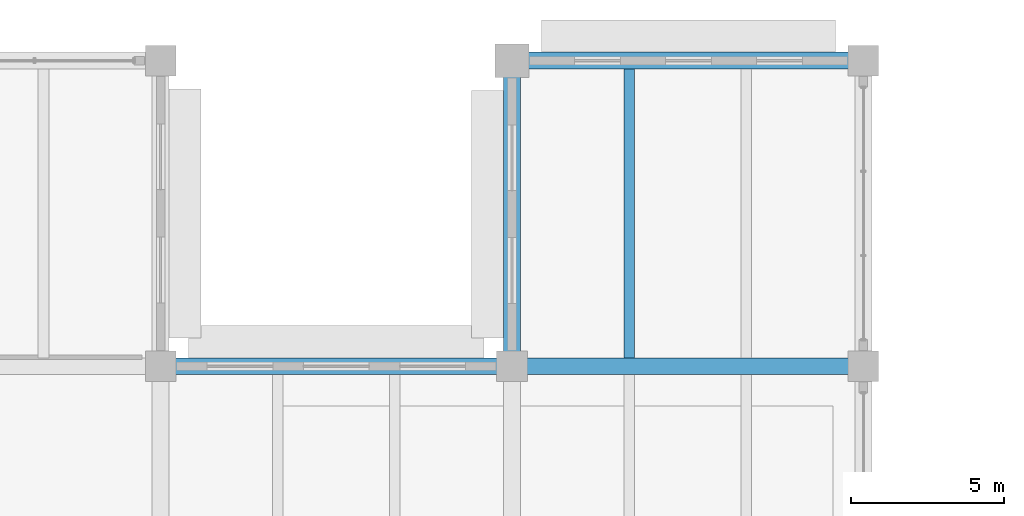
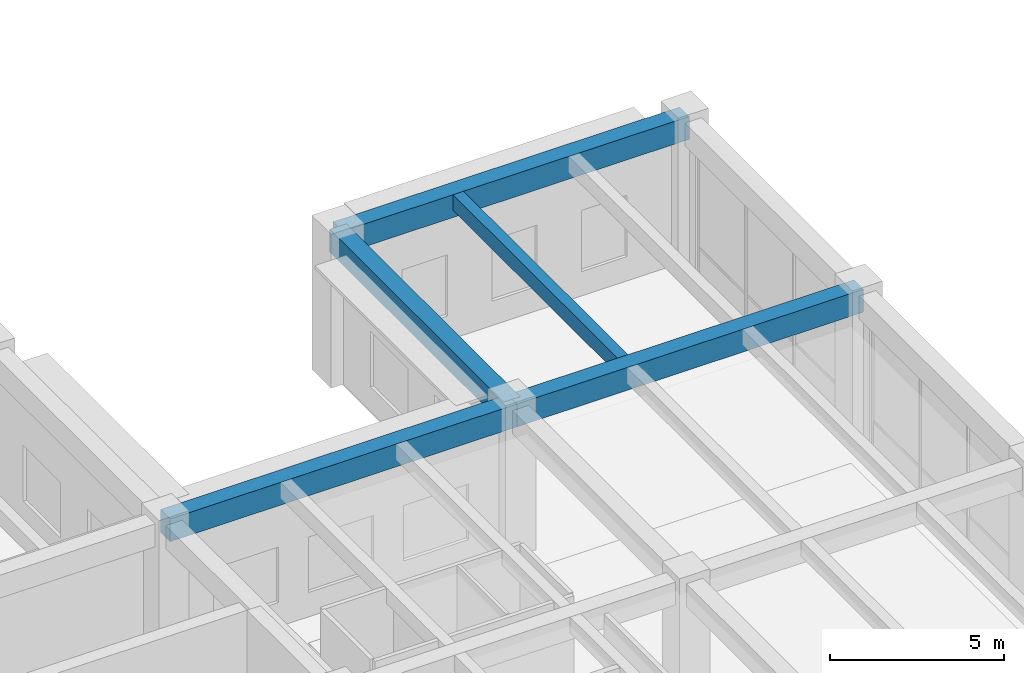
# One storey, part 60 of 148: 5 beams.
"""IFC4 building model written with IfcOpenShell, lengths in metres."""

from ifc_helpers import new_model, si_unit, direction, frame, origin, origin_2d, place, context, subcontext, project, spatial, rectangle, extrude, material, material_profile, profile_set, type_object, element, save


model = new_model("IFC4")

# Units and contexts
model_context = context("Model", 3, precision=1e-05, world=origin(), true_north=direction((0.0, 1.0)))
body_context = subcontext(model_context, "Body", "Model", "MODEL_VIEW")
ifc_project = project(units=[si_unit("LENGTHUNIT", "METRE"), si_unit("AREAUNIT", "SQUARE_METRE"), si_unit("VOLUMEUNIT", "CUBIC_METRE"), si_unit("PLANEANGLEUNIT", "RADIAN"), si_unit("MASSUNIT", "GRAM", prefix="KILO")], contexts=[model_context])

# Site, building, storey
site_placement = place(None, origin())
site = spatial("IfcSite", under=ifc_project, at=site_placement, CompositionType="ELEMENT")
building_placement = place(site_placement, origin())
building = spatial("IfcBuilding", under=site, at=building_placement, Name="Ologun Quay Terminus", CompositionType="ELEMENT")
storey_placement = place(building_placement, frame((0.0, 0.0, 8.39990234375)))
storey = spatial("IfcBuildingStorey", under=building, at=storey_placement, Name="L02", CompositionType="ELEMENT", Elevation=8.39990234375)

# Beams
ifc_material_1 = material(Name="Concrete C40/50", Category="concrete")
ifc_material_profile_1 = material_profile(ifc_material_1, rectangle(XDim=0.550048828125, YDim=0.800048828125, at=origin_2d()), Name="RC 550x800")
ifc_profile_set_1 = profile_set([ifc_material_profile_1], Name="Concrete C40/50")
beam_type_1 = type_object("IfcBeamType", Name="Courtyard Wing Primary Girder 550x800", PredefinedType="BEAM", material=ifc_profile_set_1)
for number, where, z_axis, x_axis, name in (
    (1, (46.0, 104.800048828125, 4.75), (1.0, 0.0, 0.0), (0.0, 1.0, 0.0), "B4 Beam 5/J L02"),
    (2, (57.5, 104.800048828125, 4.75), (1.0, 0.0, 0.0), (0.0, 1.0, 0.0), "B4 Beam 6/J L02"),
    (3, (57.5, 114.800048828125, 4.75), (1.0, 0.0, 0.0), (0.0, 1.0, 0.0), "B4 Beam 6/K L02"),
):
    element("IfcBeam", number, at=place(storey_placement, frame(where, z_axis=z_axis, x_axis=x_axis)), inside=storey, type_object=beam_type_1, Name=name, PredefinedType="BEAM", context=body_context, shape_type="SweptSolid", body=[
        extrude(rectangle(XDim=0.550048828125, YDim=0.800048828125, at=origin_2d()), origin(), (0.0, 0.0, 1.0), 11.5),
    ])
beam_1_placement = place(storey_placement, frame((57.5, 104.800048828125, 4.75), z_axis=(0.0, 1.0, 0.0), x_axis=(-1.0, 0.0, 0.0)))
element("IfcBeam", 4, at=beam_1_placement, inside=storey, type_object=beam_type_1, Name="B4 Beam 6/J L02", PredefinedType="BEAM", context=body_context, shape_type="SweptSolid", body=[
    extrude(rectangle(XDim=0.550048828125, YDim=0.800048828125, at=origin_2d()), origin(), (0.0, 0.0, 1.0), 10.0),
])
ifc_material_2 = material(Name="Concrete C40/50", Category="concrete")
ifc_material_profile_2 = material_profile(ifc_material_2, rectangle(XDim=0.35009765625, YDim=0.550048828125, at=origin_2d()), Name="RC 350x550")
ifc_profile_set_2 = profile_set([ifc_material_profile_2], Name="Concrete C40/50")
beam_type_2 = type_object("IfcBeamType", Name="Courtyard Wing Secondary Joist 350x550", PredefinedType="JOIST", material=ifc_profile_set_2)
beam_2_placement = place(storey_placement, frame((61.333251953125, 105.074951171875, 4.875), z_axis=(0.0, 1.0, 0.0), x_axis=(-1.0, 0.0, 0.0)))
element("IfcBeam", 5, at=beam_2_placement, inside=storey, type_object=beam_type_2, Name="J2 Beam 6/J L02", PredefinedType="JOIST", context=body_context, shape_type="SweptSolid", body=[
    extrude(rectangle(XDim=0.35009765625, YDim=0.550048828125, at=origin_2d()), origin(), (0.0, 0.0, 1.0), 9.449951171875),
])

save(model, "model.ifc")
